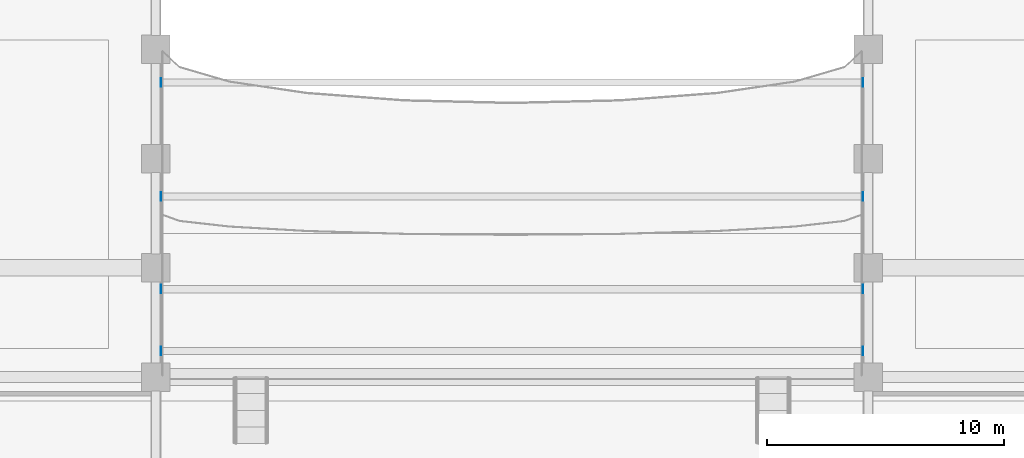
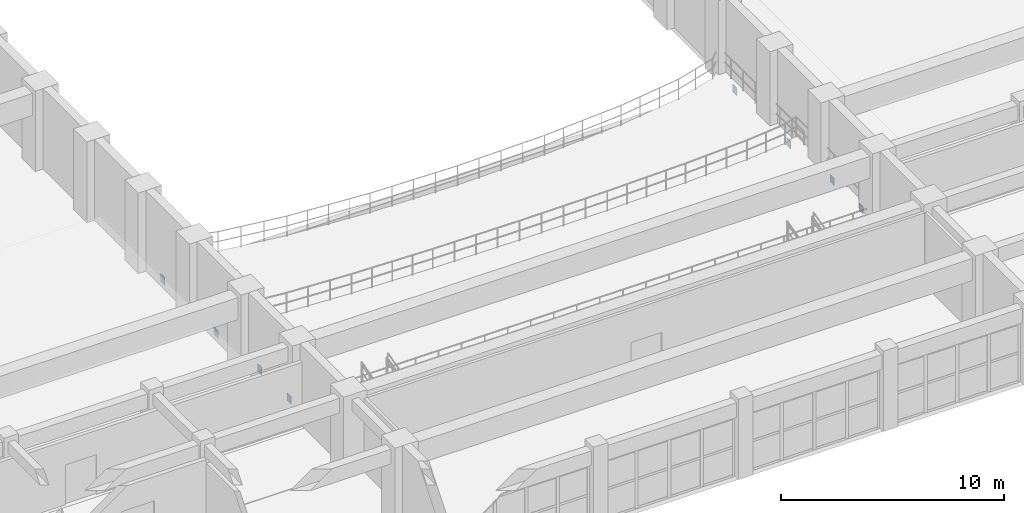
# One storey, part 94 of 116: 8 plates.
"""IFC4 building model written with IfcOpenShell, lengths in metres."""

from ifc_helpers import new_model, si_unit, direction, frame, origin, origin_2d, place, context, subcontext, project, spatial, rectangle, extrude, material, layer, layer_set, type_object, element, save


model = new_model("IFC4")

# Units and contexts
model_context = context("Model", 3, precision=1e-05, world=origin(), true_north=direction((0.0, 1.0)))
body_context = subcontext(model_context, "Body", "Model", "MODEL_VIEW")
ifc_project = project(units=[si_unit("LENGTHUNIT", "METRE"), si_unit("AREAUNIT", "SQUARE_METRE"), si_unit("VOLUMEUNIT", "CUBIC_METRE"), si_unit("PLANEANGLEUNIT", "RADIAN"), si_unit("MASSUNIT", "GRAM", prefix="KILO")], contexts=[model_context])

# Site, building, storey
site_placement = place(None, origin())
site = spatial("IfcSite", under=ifc_project, at=site_placement, CompositionType="ELEMENT")
building_placement = place(site_placement, origin())
building = spatial("IfcBuilding", under=site, at=building_placement, Name="Muzn Square Opera House", CompositionType="ELEMENT")
storey_placement = place(building_placement, frame((0.0, 0.0, 5.39990234375)))
storey = spatial("IfcBuildingStorey", under=building, at=storey_placement, Name="L01", CompositionType="ELEMENT", Elevation=5.39990234375)

# Plates
ifc_material = material(Name="Steel S355", Category="steel")
ifc_layer = layer(ifc_material, 0.02490234375, Name="Steel S355", Category="steel")
ifc_layer_set = layer_set([ifc_layer], Name="Steel S355")
plate_type = type_object("IfcPlateType", Name="Cast-In Wall Embedment Plate 25mm 360x420", PredefinedType="USERDEFINED", material=ifc_layer_set)
for number, where, z_axis, x_axis, name in (
    (1, (73.2099609375, 36.89990234375, 0.03515625), (0.0, 0.0, 1.0), (1.0, 0.0, 0.0), "Raker Cast-In Wall Embedment Plate RAKER-L01-01-W"),
    (2, (102.7900390625, 36.89990234375, 0.03515625), (0.0, 0.0, 1.0), (1.0, 0.0, 0.0), "Raker Cast-In Wall Embedment Plate RAKER-L01-01-E"),
    (3, (73.2099609375, 39.5, 0.03515625), (0.0, 0.0, 1.0), (1.0, 0.0, 0.0), "Raker Cast-In Wall Embedment Plate RAKER-L01-02-W"),
    (4, (102.7900390625, 39.5, 0.03515625), (0.0, 0.0, 1.0), (1.0, 0.0, 0.0), "Raker Cast-In Wall Embedment Plate RAKER-L01-02-E"),
    (5, (73.2099609375, 43.39990234375, -0.324951171875), (0.0, 0.0, 1.0), (1.0, 0.0, 0.0), "Raker Cast-In Wall Embedment Plate RAKER-L01-03-W"),
    (6, (102.7900390625, 43.39990234375, -0.324951171875), (0.0, 0.0, 1.0), (1.0, 0.0, 0.0), "Raker Cast-In Wall Embedment Plate RAKER-L01-03-E"),
    (7, (73.2099609375, 48.199951171875, -0.324951171875), (0.0, 0.0, 1.0), (1.0, 0.0, 0.0), "Raker Cast-In Wall Embedment Plate RAKER-L01-04-W"),
    (8, (102.7900390625, 48.199951171875, -0.324951171875), (0.0, 0.0, 1.0), (1.0, 0.0, 0.0), "Raker Cast-In Wall Embedment Plate RAKER-L01-04-E"),
):
    element("IfcPlate", number, at=place(storey_placement, frame(where, z_axis=z_axis, x_axis=x_axis)), inside=storey, type_object=plate_type, Name=name, ObjectType="GUSSET PLATE", PredefinedType="USERDEFINED", context=body_context, shape_type="SweptSolid", body=[
        extrude(rectangle(XDim=0.02490234375, YDim=0.360107421875, at=origin_2d()), origin(), (0.0, 0.0, 1.0), 0.419921875),
    ])

save(model, "model.ifc")
